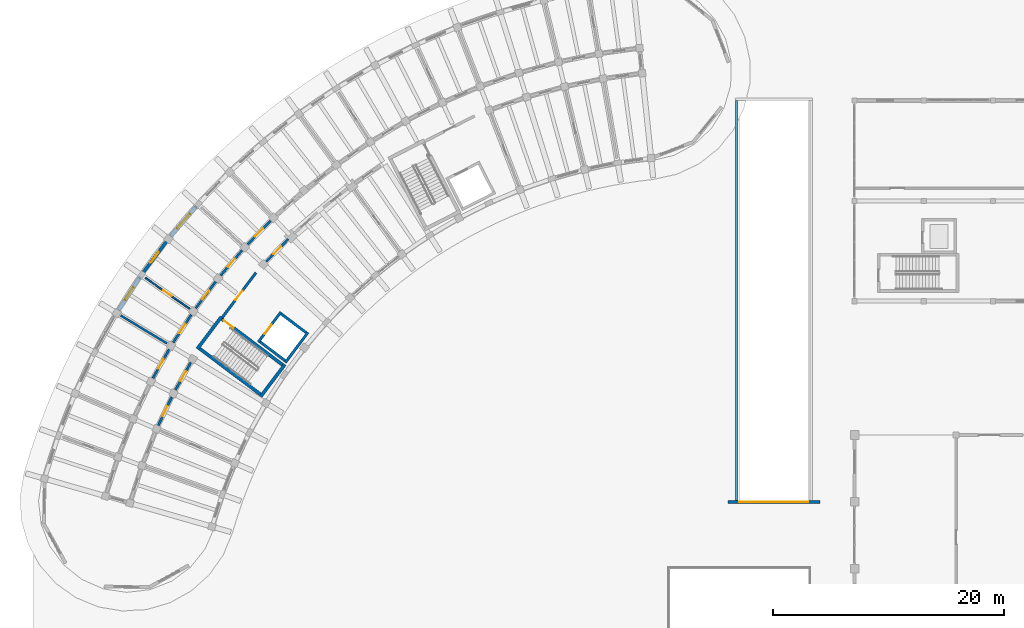
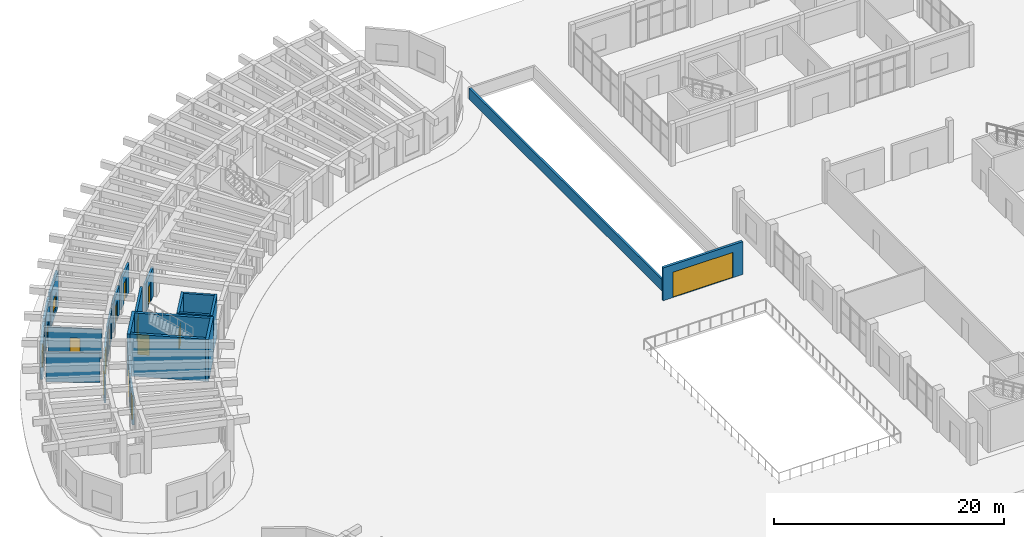
# One storey, part 94 of 132: 24 walls, 13 doors, 3 windows, 16 openings.
"""IFC4 building model written with IfcOpenShell, lengths in metres."""

from ifc_helpers import new_model, si_unit, direction, frame, frame_2d, origin, place, context, subcontext, project, spatial, rectangle, extrude, material, layer, layer_set, type_object, element, fill, save


model = new_model("IFC4")

# Units and contexts
model_context = context("Model", 3, precision=1e-05, world=origin(), true_north=direction((0.0, 1.0)))
body_context = subcontext(model_context, "Body", "Model", "MODEL_VIEW")
ifc_project = project(units=[si_unit("LENGTHUNIT", "METRE"), si_unit("AREAUNIT", "SQUARE_METRE"), si_unit("VOLUMEUNIT", "CUBIC_METRE"), si_unit("PLANEANGLEUNIT", "RADIAN"), si_unit("MASSUNIT", "GRAM", prefix="KILO")], contexts=[model_context])

# Site, building, storey
site_placement = place(None, origin())
site = spatial("IfcSite", under=ifc_project, at=site_placement, CompositionType="ELEMENT")
building_placement = place(site_placement, origin())
building = spatial("IfcBuilding", under=site, at=building_placement, Name="Tanwirah Colonnade Gardens", CompositionType="ELEMENT")
storey_placement = place(building_placement, origin())
storey = spatial("IfcBuildingStorey", under=building, at=storey_placement, Name="L00", CompositionType="ELEMENT", Elevation=0.0)

# Wall
ifc_material_1 = material(Name="Limestone architectural precast concrete C40/50", Category="masonry")
ifc_layer_1 = layer(ifc_material_1, 0.199951171875)
ifc_layer_set_1 = layer_set([ifc_layer_1], Name="Limestone architectural precast concrete C40/50")
wall_type_1 = type_object("IfcWallType", Name="EW-PAR200", PredefinedType="PARAPET", material=ifc_layer_set_1)
wall_1_placement = place(storey_placement, frame((67.75, 74.60009765625, 0.0), z_axis=(0.0, 0.0, 1.0), x_axis=(0.0, 1.0, 0.0)))
element("IfcWall", 1, at=wall_1_placement, inside=storey, type_object=wall_type_1, Name="Basement Ramp Kerb Guard Wall W", PredefinedType="PARAPET", context=body_context, shape_type="SweptSolid", body=[
    extrude(rectangle(XDim=34.7998046875, YDim=0.199951171875, at=frame_2d((17.39990234375, 0.0))), origin(), (0.0, 0.0, 1.0), 1.199951171875),
])

# Wall, opening, door
ifc_layer_2 = layer(ifc_material_1, 0.25)
ifc_layer_set_2 = layer_set([ifc_layer_2], Name="Limestone architectural precast concrete C40/50")
wall_type_2 = type_object("IfcWallType", Name="EW-PAV250", PredefinedType="SOLIDWALL", material=ifc_layer_set_2)
wall_2_placement = place(storey_placement, frame((67.0, 74.60009765625, 0.0), z_axis=(0.0, 0.0, 1.0), x_axis=(1.0, 0.0, 0.0)))
wall_2 = element("IfcWall", 2, at=wall_2_placement, inside=storey, type_object=wall_type_2, Name="Basement Car Park Ramp Entrance Portal Wall", PredefinedType="SOLIDWALL", context=body_context, shape_type="SweptSolid", body=[
    extrude(rectangle(XDim=8.0, YDim=0.25, at=frame_2d((4.0, 0.0))), origin(), (0.0, 0.0, 1.0), 3.5),
])
opening_1_placement = place(wall_2_placement, frame((1.0, 0.0, 0.0)))
opening_1 = element("IfcOpeningElement", 3, at=opening_1_placement, cuts=wall_2, Name="Opening RS-01", PredefinedType="OPENING", context=body_context, shape_type="SweptSolid", body=[
    extrude(rectangle(XDim=6.0, YDim=2.699951171875, at=frame_2d((3.0, 1.35009765625))), frame((0.0, 0.135009765625, 0.0), z_axis=(0.0, -1.0, 0.0), x_axis=(1.0, 0.0, 0.0)), (0.0, 0.0, 1.0), 0.27001953125),
])
ifc_material_2 = material(Name="Insulated galvanized steel vehicle roller shutter", Category="steel")
door_type_1 = type_object("IfcDoorType", Name="RS-01", OperationType="ROLLINGUP", PredefinedType="GATE", material=ifc_material_2)
door_1_placement = place(opening_1_placement, origin())
door_1 = element("IfcDoor", 4, at=door_1_placement, inside=storey, type_object=door_type_1, Name="Basement Car Park Vehicle Roller Shutter RS-01", OperationType="ROLLINGUP", OverallHeight=2.699951171875, OverallWidth=6.0, PredefinedType="GATE", context=body_context, shape_type="SweptSolid", body=[
    extrude(rectangle(XDim=6.0, YDim=2.699951171875, at=frame_2d((3.0, 1.35009765625))), frame((0.0, 0.02490234375, 0.0), z_axis=(0.0, -1.0, 0.0), x_axis=(1.0, 0.0, 0.0)), (0.0, 0.0, 1.0), 0.050048828125),
])
fill(opening_1, door_1)

# Wall, opening, window
ifc_layer_3 = layer(ifc_material_1, 0.27001953125)
ifc_layer_set_3 = layer_set([ifc_layer_3], Name="Limestone architectural precast concrete C40/50")
wall_type_3 = type_object("IfcWallType", Name="EW-PC270", PredefinedType="SOLIDWALL", material=ifc_layer_set_3)
wall_3_placement = place(storey_placement, frame((20.939208984375, 100.251953125, 0.0), z_axis=(0.0, 0.0, 1.0), x_axis=(-0.650211044889, -0.759753642376, 0.0)))
wall_3 = element("IfcWall", 5, at=wall_3_placement, inside=storey, type_object=wall_type_3, Name="Block A L00 OUT Precast Facade Wall 11", PredefinedType="SOLIDWALL", context=body_context, shape_type="SweptSolid", body=[
    extrude(rectangle(XDim=3.465576171875, YDim=0.27001953125, at=frame_2d((1.73291015625, 0.0))), origin(), (0.0, 0.0, 1.0), 3.7548828125),
])
opening_2_placement = place(wall_3_placement, frame((0.892822265625, 0.0, 0.550048828125)))
opening_2 = element("IfcOpeningElement", 6, at=opening_2_placement, cuts=wall_3, Name="Opening WIN-U14", PredefinedType="OPENING", context=body_context, shape_type="SweptSolid", body=[
    extrude(rectangle(XDim=1.679931640625, YDim=1.5849609375, at=frame_2d((0.83984375, 0.79248046875))), frame((0.0, 0.14501953125, 0.0), z_axis=(0.0, -1.0, 0.0), x_axis=(1.0, 0.0, 0.0)), (0.0, 0.0, 1.0), 0.2900390625),
])
ifc_material_3 = material(Name="Thermally broken bronze aluminium and solar low-E double glazing", Category="aluminium")
window_type_1 = type_object("IfcWindowType", Name="WIN-U14", PartitioningType="DOUBLE_PANEL_VERTICAL", PredefinedType="WINDOW", material=ifc_material_3)
window_1_placement = place(opening_2_placement, origin())
window_1 = element("IfcWindow", 7, at=window_1_placement, inside=storey, type_object=window_type_1, Name="Facade window A-L00-OUT-11", OverallHeight=1.5849609375, OverallWidth=1.679931640625, PartitioningType="SINGLE_PANEL", PredefinedType="WINDOW", context=body_context, shape_type="SweptSolid", body=[
    extrude(rectangle(XDim=1.679931640625, YDim=1.5849609375, at=frame_2d((0.83984375, 0.79248046875))), frame((0.0, 0.030029296875, 0.0), z_axis=(0.0, -1.0, 0.0), x_axis=(1.0, 0.0, 0.0)), (0.0, 0.0, 1.0), 0.06005859375),
])
fill(opening_2, window_1)

wall_4_placement = place(storey_placement, frame((18.336181640625, 97.181884765625, 0.0), z_axis=(0.0, 0.0, 1.0), x_axis=(-0.598714304455, -0.80096265933, 0.0)))
wall_4 = element("IfcWall", 8, at=wall_4_placement, inside=storey, type_object=wall_type_3, Name="Block A L00 OUT Precast Facade Wall 12", PredefinedType="SOLIDWALL", context=body_context, shape_type="SweptSolid", body=[
    extrude(rectangle(XDim=3.465576171875, YDim=0.27001953125, at=frame_2d((1.73291015625, 0.0))), origin(), (0.0, 0.0, 1.0), 3.7548828125),
])
opening_3_placement = place(wall_4_placement, frame((1.15771484375, 0.0, 0.550048828125)))
opening_3 = element("IfcOpeningElement", 9, at=opening_3_placement, cuts=wall_4, Name="Opening WIN-T01", PredefinedType="OPENING", context=body_context, shape_type="SweptSolid", body=[
    extrude(rectangle(XDim=1.14990234375, YDim=1.5, at=frame_2d((0.574951171875, 0.75))), frame((0.0, 0.14501953125, 0.0), z_axis=(0.0, -1.0, 0.0), x_axis=(1.0, 0.0, 0.0)), (0.0, 0.0, 1.0), 0.2900390625),
])
window_type_2 = type_object("IfcWindowType", Name="WIN-T01", PartitioningType="SINGLE_PANEL", PredefinedType="WINDOW", material=ifc_material_3)
window_2_placement = place(opening_3_placement, origin())
window_2 = element("IfcWindow", 10, at=window_2_placement, inside=storey, type_object=window_type_2, Name="Facade window A-L00-OUT-12", OverallHeight=1.5, OverallWidth=1.14990234375, PartitioningType="SINGLE_PANEL", PredefinedType="WINDOW", context=body_context, shape_type="SweptSolid", body=[
    extrude(rectangle(XDim=1.14990234375, YDim=1.5, at=frame_2d((0.574951171875, 0.75))), frame((0.0, 0.030029296875, 0.0), z_axis=(0.0, -1.0, 0.0), x_axis=(1.0, 0.0, 0.0)), (0.0, 0.0, 1.0), 0.06005859375),
])
fill(opening_3, window_2)

wall_5_placement = place(storey_placement, frame((16.055419921875, 94.11083984375, 0.0), z_axis=(0.0, 0.0, 1.0), x_axis=(-0.544678802261, -0.838644741453, 0.0)))
wall_5 = element("IfcWall", 11, at=wall_5_placement, inside=storey, type_object=wall_type_3, Name="Block A L00 OUT Precast Facade Wall 13", PredefinedType="SOLIDWALL", context=body_context, shape_type="SweptSolid", body=[
    extrude(rectangle(XDim=3.4658203125, YDim=0.27001953125, at=frame_2d((1.73291015625, 0.0))), origin(), (0.0, 0.0, 1.0), 3.7548828125),
])
opening_4_placement = place(wall_5_placement, frame((1.082763671875, 0.0, 0.550048828125)))
opening_4 = element("IfcOpeningElement", 12, at=opening_4_placement, cuts=wall_5, Name="Opening WIN-T04", PredefinedType="OPENING", context=body_context, shape_type="SweptSolid", body=[
    extrude(rectangle(XDim=1.300048828125, YDim=1.60009765625, at=frame_2d((0.64990234375, 0.800048828125))), frame((0.0, 0.14501953125, 0.0), z_axis=(0.0, -1.0, 0.0), x_axis=(1.0, 0.0, 0.0)), (0.0, 0.0, 1.0), 0.2900390625),
])
window_type_3 = type_object("IfcWindowType", Name="WIN-T04", PartitioningType="DOUBLE_PANEL_VERTICAL", PredefinedType="WINDOW", material=ifc_material_3)
window_3_placement = place(opening_4_placement, origin())
window_3 = element("IfcWindow", 13, at=window_3_placement, inside=storey, type_object=window_type_3, Name="Facade window A-L00-OUT-13", OverallHeight=1.60009765625, OverallWidth=1.300048828125, PartitioningType="SINGLE_PANEL", PredefinedType="WINDOW", context=body_context, shape_type="SweptSolid", body=[
    extrude(rectangle(XDim=1.300048828125, YDim=1.60009765625, at=frame_2d((0.64990234375, 0.800048828125))), frame((0.0, 0.030029296875, 0.0), z_axis=(0.0, -1.0, 0.0), x_axis=(1.0, 0.0, 0.0)), (0.0, 0.0, 1.0), 0.06005859375),
])
fill(opening_4, window_3)

# Wall, opening, door
ifc_material_4 = material(Name="Precast concrete C40/50", Category="concrete")
ifc_layer_4 = layer(ifc_material_4, 0.205078125)
ifc_layer_set_4 = layer_set([ifc_layer_4], Name="Precast concrete C40/50")
wall_type_4 = type_object("IfcWallType", Name="IW-CORR205", PredefinedType="PARTITIONING", material=ifc_layer_set_4)
wall_6_placement = place(storey_placement, frame((27.360107421875, 98.975341796875, 0.0), z_axis=(0.0, 0.0, 1.0), x_axis=(-0.698787219683, -0.715329589496, 0.0)))
wall_6 = element("IfcWall", 14, at=wall_6_placement, inside=storey, type_object=wall_type_4, Name="Block A L00 OUT Corridor Wall 10", PredefinedType="PARTITIONING", context=body_context, shape_type="SweptSolid", body=[
    extrude(rectangle(XDim=2.863037109375, YDim=0.205078125, at=frame_2d((1.431640625, 0.0))), origin(), (0.0, 0.0, 1.0), 3.10009765625),
])
opening_5_placement = place(wall_6_placement, frame((0.95654296875, 0.0, 0.0)))
opening_5 = element("IfcOpeningElement", 15, at=opening_5_placement, cuts=wall_6, Name="Opening L00-AD244", PredefinedType="OPENING", context=body_context, shape_type="SweptSolid", body=[
    extrude(rectangle(XDim=0.949951171875, YDim=2.1298828125, at=frame_2d((0.47509765625, 1.06494140625))), frame((0.0, 0.112548828125, 0.0), z_axis=(0.0, -1.0, 0.0), x_axis=(1.0, 0.0, 0.0)), (0.0, 0.0, 1.0), 0.22509765625),
])
ifc_material_5 = material(Name="Solid oak fire-resisting apartment entrance door")
door_type_2 = type_object("IfcDoorType", Name="ID-FLT095", OperationType="NOTDEFINED", PredefinedType="DOOR", material=ifc_material_5)
door_2_placement = place(opening_5_placement, origin())
door_2 = element("IfcDoor", 16, at=door_2_placement, inside=storey, type_object=door_type_2, Name="Apartment corridor door L00-AD244", OperationType="SINGLE_SWING_LEFT", OverallHeight=2.1298828125, OverallWidth=0.949951171875, PredefinedType="DOOR", context=body_context, shape_type="SweptSolid", body=[
    extrude(rectangle(XDim=0.949951171875, YDim=2.1298828125, at=frame_2d((0.47509765625, 1.06494140625))), frame((0.0, 0.02490234375, 0.0), z_axis=(0.0, -1.0, 0.0), x_axis=(1.0, 0.0, 0.0)), (0.0, 0.0, 1.0), 0.050048828125),
])
fill(opening_5, door_2)

wall_7_placement = place(storey_placement, frame((28.88232421875, 97.38671875, 0.0), z_axis=(0.0, 0.0, 1.0), x_axis=(-0.698840007829, -0.715278018296, 0.0)))
wall_7 = element("IfcWall", 17, at=wall_7_placement, inside=storey, type_object=wall_type_4, Name="Block A L00 IN Corridor Wall 10", PredefinedType="PARTITIONING", context=body_context, shape_type="SweptSolid", body=[
    extrude(rectangle(XDim=2.718017578125, YDim=0.205078125, at=frame_2d((1.35888671875, 0.0))), origin(), (0.0, 0.0, 1.0), 3.10009765625),
])
opening_6_placement = place(wall_7_placement, frame((0.884033203125, 0.0, 0.0)))
opening_6 = element("IfcOpeningElement", 18, at=opening_6_placement, cuts=wall_7, Name="Opening L00-AD245", PredefinedType="OPENING", context=body_context, shape_type="SweptSolid", body=[
    extrude(rectangle(XDim=0.949951171875, YDim=2.1298828125, at=frame_2d((0.47509765625, 1.06494140625))), frame((0.0, 0.112548828125, 0.0), z_axis=(0.0, -1.0, 0.0), x_axis=(1.0, 0.0, 0.0)), (0.0, 0.0, 1.0), 0.22509765625),
])
door_3_placement = place(opening_6_placement, origin())
door_3 = element("IfcDoor", 19, at=door_3_placement, inside=storey, type_object=door_type_2, Name="Apartment corridor door L00-AD245", OperationType="SINGLE_SWING_RIGHT", OverallHeight=2.1298828125, OverallWidth=0.949951171875, PredefinedType="DOOR", context=body_context, shape_type="SweptSolid", body=[
    extrude(rectangle(XDim=0.949951171875, YDim=2.1298828125, at=frame_2d((0.47509765625, 1.06494140625))), frame((0.0, 0.02490234375, 0.0), z_axis=(0.0, -1.0, 0.0), x_axis=(1.0, 0.0, 0.0)), (0.0, 0.0, 1.0), 0.050048828125),
])
fill(opening_6, door_3)

wall_8_placement = place(storey_placement, frame((24.88720703125, 96.4111328125, 0.0), z_axis=(0.0, 0.0, 1.0), x_axis=(-0.650194272684, -0.759767996015, 0.0)))
wall_8 = element("IfcWall", 20, at=wall_8_placement, inside=storey, type_object=wall_type_4, Name="Block A L00 OUT Corridor Wall 11", PredefinedType="PARTITIONING", context=body_context, shape_type="SweptSolid", body=[
    extrude(rectangle(XDim=2.863037109375, YDim=0.205078125, at=frame_2d((1.431640625, 0.0))), origin(), (0.0, 0.0, 1.0), 3.10009765625),
])
opening_7_placement = place(wall_8_placement, frame((0.966552734375, 0.0, 0.0)))
opening_7 = element("IfcOpeningElement", 21, at=opening_7_placement, cuts=wall_8, Name="Opening L00-AD247", PredefinedType="OPENING", context=body_context, shape_type="SweptSolid", body=[
    extrude(rectangle(XDim=0.929931640625, YDim=2.1201171875, at=frame_2d((0.46484375, 1.06005859375))), frame((0.0, 0.112548828125, 0.0), z_axis=(0.0, -1.0, 0.0), x_axis=(1.0, 0.0, 0.0)), (0.0, 0.0, 1.0), 0.22509765625),
])
door_type_3 = type_object("IfcDoorType", Name="ID-FLT093", OperationType="NOTDEFINED", PredefinedType="DOOR", material=ifc_material_5)
door_4_placement = place(opening_7_placement, origin())
door_4 = element("IfcDoor", 22, at=door_4_placement, inside=storey, type_object=door_type_3, Name="Apartment corridor door L00-AD247", OperationType="SINGLE_SWING_RIGHT", OverallHeight=2.1201171875, OverallWidth=0.929931640625, PredefinedType="DOOR", context=body_context, shape_type="SweptSolid", body=[
    extrude(rectangle(XDim=0.929931640625, YDim=2.1201171875, at=frame_2d((0.46484375, 1.06005859375))), frame((0.0, 0.02490234375, 0.0), z_axis=(0.0, -1.0, 0.0), x_axis=(1.0, 0.0, 0.0)), (0.0, 0.0, 1.0), 0.050048828125),
])
fill(opening_7, door_4)

wall_9_placement = place(storey_placement, frame((22.588623046875, 93.689453125, 0.0), z_axis=(0.0, 0.0, 1.0), x_axis=(-0.598757763243, -0.800930172335, 0.0)))
wall_9 = element("IfcWall", 23, at=wall_9_placement, inside=storey, type_object=wall_type_4, Name="Block A L00 OUT Corridor Wall 12", PredefinedType="PARTITIONING", context=body_context, shape_type="SweptSolid", body=[
    extrude(rectangle(XDim=2.86328125, YDim=0.205078125, at=frame_2d((1.431640625, 0.0))), origin(), (0.0, 0.0, 1.0), 3.10009765625),
])
opening_8_placement = place(wall_9_placement, frame((0.9365234375, 0.0, 0.0)))
opening_8 = element("IfcOpeningElement", 24, at=opening_8_placement, cuts=wall_9, Name="Opening L00-AD248", PredefinedType="OPENING", context=body_context, shape_type="SweptSolid", body=[
    extrude(rectangle(XDim=0.989990234375, YDim=2.159912109375, at=frame_2d((0.4951171875, 1.080078125))), frame((0.0, 0.112548828125, 0.0), z_axis=(0.0, -1.0, 0.0), x_axis=(1.0, 0.0, 0.0)), (0.0, 0.0, 1.0), 0.22509765625),
])
door_type_4 = type_object("IfcDoorType", Name="ID-FLT099", OperationType="NOTDEFINED", PredefinedType="DOOR", material=ifc_material_5)
door_5_placement = place(opening_8_placement, origin())
door_5 = element("IfcDoor", 25, at=door_5_placement, inside=storey, type_object=door_type_4, Name="Apartment corridor door L00-AD248", OperationType="SINGLE_SWING_LEFT", OverallHeight=2.159912109375, OverallWidth=0.989990234375, PredefinedType="DOOR", context=body_context, shape_type="SweptSolid", body=[
    extrude(rectangle(XDim=0.989990234375, YDim=2.159912109375, at=frame_2d((0.4951171875, 1.080078125))), frame((0.0, 0.02490234375, 0.0), z_axis=(0.0, -1.0, 0.0), x_axis=(1.0, 0.0, 0.0)), (0.0, 0.0, 1.0), 0.050048828125),
])
fill(opening_8, door_5)

wall_10_placement = place(storey_placement, frame((20.47412109375, 90.822265625, 0.0), z_axis=(0.0, 0.0, 1.0), x_axis=(-0.544643612649, -0.838667595178, 0.0)))
wall_10 = element("IfcWall", 26, at=wall_10_placement, inside=storey, type_object=wall_type_4, Name="Block A L00 OUT Corridor Wall 13", PredefinedType="PARTITIONING", context=body_context, shape_type="SweptSolid", body=[
    extrude(rectangle(XDim=2.863037109375, YDim=0.205078125, at=frame_2d((1.431640625, 0.0))), origin(), (0.0, 0.0, 1.0), 3.10009765625),
])
opening_9_placement = place(wall_10_placement, frame((0.946533203125, 0.0, 0.0)))
opening_9 = element("IfcOpeningElement", 27, at=opening_9_placement, cuts=wall_10, Name="Opening L00-AD250", PredefinedType="OPENING", context=body_context, shape_type="SweptSolid", body=[
    extrude(rectangle(XDim=0.969970703125, YDim=2.14990234375, at=frame_2d((0.48486328125, 1.074951171875))), frame((0.0, 0.112548828125, 0.0), z_axis=(0.0, -1.0, 0.0), x_axis=(1.0, 0.0, 0.0)), (0.0, 0.0, 1.0), 0.22509765625),
])
door_type_5 = type_object("IfcDoorType", Name="ID-FLT097", OperationType="NOTDEFINED", PredefinedType="DOOR", material=ifc_material_5)
door_6_placement = place(opening_9_placement, origin())
door_6 = element("IfcDoor", 28, at=door_6_placement, inside=storey, type_object=door_type_5, Name="Apartment corridor door L00-AD250", OperationType="SINGLE_SWING_RIGHT", OverallHeight=2.14990234375, OverallWidth=0.969970703125, PredefinedType="DOOR", context=body_context, shape_type="SweptSolid", body=[
    extrude(rectangle(XDim=0.969970703125, YDim=2.14990234375, at=frame_2d((0.48486328125, 1.074951171875))), frame((0.0, 0.02490234375, 0.0), z_axis=(0.0, -1.0, 0.0), x_axis=(1.0, 0.0, 0.0)), (0.0, 0.0, 1.0), 0.050048828125),
])
fill(opening_9, door_6)

wall_11_placement = place(storey_placement, frame((18.55322265625, 87.822021484375, 0.0), z_axis=(0.0, 0.0, 1.0), x_axis=(-0.488211211273, -0.872725508501, 0.0)))
wall_11 = element("IfcWall", 29, at=wall_11_placement, inside=storey, type_object=wall_type_4, Name="Block A L00 OUT Corridor Wall 14", PredefinedType="PARTITIONING", context=body_context, shape_type="SweptSolid", body=[
    extrude(rectangle(XDim=2.86279296875, YDim=0.205078125, at=frame_2d((1.431396484375, 0.0))), origin(), (0.0, 0.0, 1.0), 3.10009765625),
])
opening_10_placement = place(wall_11_placement, frame((0.95654296875, 0.0, 0.0)))
opening_10 = element("IfcOpeningElement", 30, at=opening_10_placement, cuts=wall_11, Name="Opening L00-AD251", PredefinedType="OPENING", context=body_context, shape_type="SweptSolid", body=[
    extrude(rectangle(XDim=0.949951171875, YDim=2.1298828125, at=frame_2d((0.47509765625, 1.06494140625))), frame((0.0, 0.112548828125, 0.0), z_axis=(0.0, -1.0, 0.0), x_axis=(1.0, 0.0, 0.0)), (0.0, 0.0, 1.0), 0.22509765625),
])
door_7_placement = place(opening_10_placement, origin())
door_7 = element("IfcDoor", 31, at=door_7_placement, inside=storey, type_object=door_type_2, Name="Apartment corridor door L00-AD251", OperationType="SINGLE_SWING_LEFT", OverallHeight=2.1298828125, OverallWidth=0.949951171875, PredefinedType="DOOR", context=body_context, shape_type="SweptSolid", body=[
    extrude(rectangle(XDim=0.949951171875, YDim=2.1298828125, at=frame_2d((0.47509765625, 1.06494140625))), frame((0.0, 0.02490234375, 0.0), z_axis=(0.0, -1.0, 0.0), x_axis=(1.0, 0.0, 0.0)), (0.0, 0.0, 1.0), 0.050048828125),
])
fill(opening_10, door_7)

wall_12_placement = place(storey_placement, frame((20.436767578125, 86.685302734375, 0.0), z_axis=(0.0, 0.0, 1.0), x_axis=(-0.48819576874, -0.872734147025, 0.0)))
wall_12 = element("IfcWall", 32, at=wall_12_placement, inside=storey, type_object=wall_type_4, Name="Block A L00 IN Corridor Wall 14", PredefinedType="PARTITIONING", context=body_context, shape_type="SweptSolid", body=[
    extrude(rectangle(XDim=2.718017578125, YDim=0.205078125, at=frame_2d((1.35888671875, 0.0))), origin(), (0.0, 0.0, 1.0), 3.10009765625),
])
opening_11_placement = place(wall_12_placement, frame((0.884033203125, 0.0, 0.0)))
opening_11 = element("IfcOpeningElement", 33, at=opening_11_placement, cuts=wall_12, Name="Opening L00-AD252", PredefinedType="OPENING", context=body_context, shape_type="SweptSolid", body=[
    extrude(rectangle(XDim=0.949951171875, YDim=2.1298828125, at=frame_2d((0.47509765625, 1.06494140625))), frame((0.0, 0.112548828125, 0.0), z_axis=(0.0, -1.0, 0.0), x_axis=(1.0, 0.0, 0.0)), (0.0, 0.0, 1.0), 0.22509765625),
])
door_8_placement = place(opening_11_placement, origin())
door_8 = element("IfcDoor", 34, at=door_8_placement, inside=storey, type_object=door_type_2, Name="Apartment corridor door L00-AD252", OperationType="SINGLE_SWING_RIGHT", OverallHeight=2.1298828125, OverallWidth=0.949951171875, PredefinedType="DOOR", context=body_context, shape_type="SweptSolid", body=[
    extrude(rectangle(XDim=0.949951171875, YDim=2.1298828125, at=frame_2d((0.47509765625, 1.06494140625))), frame((0.0, 0.02490234375, 0.0), z_axis=(0.0, -1.0, 0.0), x_axis=(1.0, 0.0, 0.0)), (0.0, 0.0, 1.0), 0.050048828125),
])
fill(opening_11, door_8)

wall_13_placement = place(storey_placement, frame((18.78857421875, 83.691650390625, 0.0), z_axis=(0.0, 0.0, 1.0), x_axis=(-0.429630211913, -0.90300491749, 0.0)))
wall_13 = element("IfcWall", 35, at=wall_13_placement, inside=storey, type_object=wall_type_4, Name="Block A L00 IN Corridor Wall 15", PredefinedType="PARTITIONING", context=body_context, shape_type="SweptSolid", body=[
    extrude(rectangle(XDim=2.718017578125, YDim=0.205078125, at=frame_2d((1.35888671875, 0.0))), origin(), (0.0, 0.0, 1.0), 3.10009765625),
])
opening_12_placement = place(wall_13_placement, frame((0.89404296875, 0.0, 0.0)))
opening_12 = element("IfcOpeningElement", 36, at=opening_12_placement, cuts=wall_13, Name="Opening L00-AD254", PredefinedType="OPENING", context=body_context, shape_type="SweptSolid", body=[
    extrude(rectangle(XDim=0.929931640625, YDim=2.1201171875, at=frame_2d((0.46484375, 1.06005859375))), frame((0.0, 0.112548828125, 0.0), z_axis=(0.0, -1.0, 0.0), x_axis=(1.0, 0.0, 0.0)), (0.0, 0.0, 1.0), 0.22509765625),
])
door_9_placement = place(opening_12_placement, origin())
door_9 = element("IfcDoor", 37, at=door_9_placement, inside=storey, type_object=door_type_3, Name="Apartment corridor door L00-AD254", OperationType="SINGLE_SWING_LEFT", OverallHeight=2.1201171875, OverallWidth=0.929931640625, PredefinedType="DOOR", context=body_context, shape_type="SweptSolid", body=[
    extrude(rectangle(XDim=0.929931640625, YDim=2.1201171875, at=frame_2d((0.46484375, 1.06005859375))), frame((0.0, 0.02490234375, 0.0), z_axis=(0.0, -1.0, 0.0), x_axis=(1.0, 0.0, 0.0)), (0.0, 0.0, 1.0), 0.050048828125),
])
fill(opening_12, door_9)

# Wall
ifc_layer_5 = layer(ifc_material_4, 0.18505859375)
ifc_layer_set_5 = layer_set([ifc_layer_5], Name="Precast concrete C40/50")
wall_type_5 = type_object("IfcWallType", Name="IW-DEM185", PredefinedType="PARTITIONING", material=ifc_layer_set_5)
wall_14_placement = place(storey_placement, frame((18.381591796875, 88.334228515625, 0.0), z_axis=(0.0, 0.0, 1.0), x_axis=(-0.856165473929, 0.516701733356, 0.0)))
element("IfcWall", 38, at=wall_14_placement, inside=storey, type_object=wall_type_5, Name="Block A L00 Radial Partition 13", PredefinedType="PARTITIONING", context=body_context, shape_type="SweptSolid", body=[
    extrude(rectangle(XDim=4.699951171875, YDim=0.18505859375, at=frame_2d((2.35009765625, 0.0))), origin(), (0.0, 0.0, 1.0), 3.10009765625),
])

# Wall, opening, door
ifc_material_6 = material(Name="Autoclaved aerated masonry blockwork", Category="masonry")
ifc_layer_6 = layer(ifc_material_6, 0.219970703125)
ifc_layer_set_6 = layer_set([ifc_layer_6], Name="Autoclaved aerated masonry blockwork")
wall_type_6 = type_object("IfcWallType", Name="IW-FFL220", PredefinedType="PARTITIONING", material=ifc_layer_set_6)
wall_15_placement = place(storey_placement, frame((23.138916015625, 90.55517578125, 0.0), z_axis=(0.0, 0.0, 1.0), x_axis=(0.601792209296, 0.79865270101, 0.0)))
wall_15 = element("IfcWall", 39, at=wall_15_placement, inside=storey, type_object=wall_type_6, Name="CORE-A2 L00 Enclosed Lobby Fire Wall", PredefinedType="PARTITIONING", context=body_context, shape_type="SweptSolid", body=[
    extrude(rectangle(XDim=4.89990234375, YDim=0.219970703125, at=frame_2d((2.449951171875, 0.0))), origin(), (0.0, 0.0, 1.0), 3.739990234375),
])
opening_13_placement = place(wall_15_placement, frame((1.949951171875, 0.0, 0.0)))
opening_13 = element("IfcOpeningElement", 40, at=opening_13_placement, cuts=wall_15, Name="Opening L00-LD050", PredefinedType="OPENING", context=body_context, shape_type="SweptSolid", body=[
    extrude(rectangle(XDim=0.97998046875, YDim=2.139892578125, at=frame_2d((0.489990234375, 1.06982421875))), frame((0.0, 0.119873046875, 0.0), z_axis=(0.0, -1.0, 0.0), x_axis=(1.0, 0.0, 0.0)), (0.0, 0.0, 1.0), 0.239990234375),
])
ifc_material_7 = material(Name="Acoustic fire-resisting lobby door")
door_type_6 = type_object("IfcDoorType", Name="ID-FFL098", OperationType="NOTDEFINED", PredefinedType="DOOR", material=ifc_material_7)
door_10_placement = place(opening_13_placement, origin())
door_10 = element("IfcDoor", 41, at=door_10_placement, inside=storey, type_object=door_type_6, Name="CORE-A2 L00 Lobby Fire Door L00-LD050", OperationType="SINGLE_SWING_LEFT", OverallHeight=2.139892578125, OverallWidth=0.97998046875, PredefinedType="DOOR", context=body_context, shape_type="SweptSolid", body=[
    extrude(rectangle(XDim=0.97998046875, YDim=2.139892578125, at=frame_2d((0.489990234375, 1.06982421875))), frame((0.0, 0.02490234375, 0.0), z_axis=(0.0, -1.0, 0.0), x_axis=(1.0, 0.0, 0.0)), (0.0, 0.0, 1.0), 0.050048828125),
])
fill(opening_13, door_10)

ifc_material_8 = material(Name="Water-resistant acoustic plumbing partition")
ifc_layer_7 = layer(ifc_material_8, 0.139892578125)
ifc_layer_set_7 = layer_set([ifc_layer_7], Name="Water-resistant acoustic plumbing partition")
wall_type_7 = type_object("IfcWallType", Name="IW-WET140", PredefinedType="PLUMBINGWALL", material=ifc_layer_set_7)
wall_16_placement = place(storey_placement, frame((20.336669921875, 91.3447265625, 0.0), z_axis=(0.0, 0.0, 1.0), x_axis=(-0.820272617205, 0.571972755876, 0.0)))
wall_16 = element("IfcWall", 42, at=wall_16_placement, inside=storey, type_object=wall_type_7, Name="Block A L00 Radial Partition 12", PredefinedType="PLUMBINGWALL", context=body_context, shape_type="SweptSolid", body=[
    extrude(rectangle(XDim=4.699951171875, YDim=0.139892578125, at=frame_2d((2.35009765625, 0.0))), origin(), (0.0, 0.0, 1.0), 3.10009765625),
])
opening_14_placement = place(wall_16_placement, frame((1.919921875, 0.0, 0.0)))
opening_14 = element("IfcOpeningElement", 43, at=opening_14_placement, cuts=wall_16, Name="Opening L00-RD249", PredefinedType="OPENING", context=body_context, shape_type="SweptSolid", body=[
    extrude(rectangle(XDim=0.860107421875, YDim=2.06005859375, at=frame_2d((0.43017578125, 1.030029296875))), frame((0.0, 0.079833984375, 0.0), z_axis=(0.0, -1.0, 0.0), x_axis=(1.0, 0.0, 0.0)), (0.0, 0.0, 1.0), 0.159912109375),
])
ifc_material_9 = material(Name="Moisture-resistant bathroom door")
door_type_7 = type_object("IfcDoorType", Name="ID-WET086", OperationType="NOTDEFINED", PredefinedType="DOOR", material=ifc_material_9)
door_11_placement = place(opening_14_placement, origin())
door_11 = element("IfcDoor", 44, at=door_11_placement, inside=storey, type_object=door_type_7, Name="Internal apartment door L00-RD249", OperationType="SINGLE_SWING_LEFT", OverallHeight=2.06005859375, OverallWidth=0.860107421875, PredefinedType="DOOR", context=body_context, shape_type="SweptSolid", body=[
    extrude(rectangle(XDim=0.860107421875, YDim=2.06005859375, at=frame_2d((0.43017578125, 1.030029296875))), frame((0.0, 0.02490234375, 0.0), z_axis=(0.0, -1.0, 0.0), x_axis=(1.0, 0.0, 0.0)), (0.0, 0.0, 1.0), 0.050048828125),
])
fill(opening_14, door_11)

# Walls
ifc_material_10 = material(Name="Concrete C45/55", Category="concrete")
ifc_layer_8 = layer(ifc_material_10, 0.280029296875)
ifc_layer_set_8 = layer_set([ifc_layer_8], Name="Concrete C45/55")
wall_type_8 = type_object("IfcWallType", Name="SW-CORE280", PredefinedType="SHEAR", material=ifc_layer_set_8)
wall_17_placement = place(storey_placement, frame((21.19873046875, 87.8974609375, 0.0), z_axis=(0.0, 0.0, 1.0), x_axis=(0.798639633744, -0.601809550782, 0.0)))
element("IfcWall", 45, at=wall_17_placement, inside=storey, type_object=wall_type_8, Name="CORE-A2 L00 Stair Shaft Shear Wall LEFT", PredefinedType="SHEAR", context=body_context, shape_type="SweptSolid", body=[
    extrude(rectangle(XDim=6.599853515625, YDim=0.280029296875, at=frame_2d((3.2998046875, 0.0))), origin(), (0.0, 0.0, 1.0), 4.47998046875),
])
for number, where, z_axis, x_axis, name in (
    (46, (26.497314453125, 83.7294921875, 0.0), (0.0, 0.0, 1.0), (0.601794470585, 0.798650997102, 0.0), "CORE-A2 L00 Stair Shaft Shear Wall FAR"),
    (47, (21.002685546875, 87.869873046875, 0.0), (0.0, 0.0, 1.0), (0.601794470585, 0.798650997102, 0.0), "CORE-A2 L00 Stair Shaft Shear Wall NEAR"),
):
    element("IfcWall", number, at=place(storey_placement, frame(where, z_axis=z_axis, x_axis=x_axis)), inside=storey, type_object=wall_type_8, Name=name, PredefinedType="SHEAR", context=body_context, shape_type="SweptSolid", body=[
        extrude(rectangle(XDim=3.47998046875, YDim=0.280029296875, at=frame_2d((1.739990234375, 0.0))), origin(), (0.0, 0.0, 1.0), 4.47998046875),
    ])

# Wall, opening, door
wall_18_placement = place(storey_placement, frame((23.12451171875, 90.453125, 0.0), z_axis=(0.0, 0.0, 1.0), x_axis=(0.798639633744, -0.601809550782, 0.0)))
wall_18 = element("IfcWall", 48, at=wall_18_placement, inside=storey, type_object=wall_type_8, Name="CORE-A2 L00 Stair Shaft Shear Wall RIGHT", PredefinedType="SHEAR", context=body_context, shape_type="SweptSolid", body=[
    extrude(rectangle(XDim=6.599853515625, YDim=0.280029296875, at=frame_2d((3.2998046875, 0.0))), origin(), (0.0, 0.0, 1.0), 4.47998046875),
])
opening_15_placement = place(wall_18_placement, frame((0.219970703125, 0.0, 0.0)))
opening_15 = element("IfcOpeningElement", 49, at=opening_15_placement, cuts=wall_18, Name="Opening L00-SD034", PredefinedType="OPENING", context=body_context, shape_type="SweptSolid", body=[
    extrude(rectangle(XDim=1.050048828125, YDim=2.14990234375, at=frame_2d((0.52490234375, 1.074951171875))), frame((0.0, 0.14990234375, 0.0), z_axis=(0.0, -1.0, 0.0), x_axis=(1.0, 0.0, 0.0)), (0.0, 0.0, 1.0), 0.300048828125),
])
ifc_material_11 = material(Name="Steel fire-resisting stair enclosure door", Category="steel")
door_type_8 = type_object("IfcDoorType", Name="ID-ST105", OperationType="NOTDEFINED", PredefinedType="DOOR", material=ifc_material_11)
door_12_placement = place(opening_15_placement, origin())
door_12 = element("IfcDoor", 50, at=door_12_placement, inside=storey, type_object=door_type_8, Name="CORE-A2 L00 Stair Fire Door L00-SD034", OperationType="SINGLE_SWING_LEFT", OverallHeight=2.14990234375, OverallWidth=1.050048828125, PredefinedType="DOOR", context=body_context, shape_type="SweptSolid", body=[
    extrude(rectangle(XDim=1.050048828125, YDim=2.14990234375, at=frame_2d((0.52490234375, 1.074951171875))), frame((0.0, 0.02490234375, 0.0), z_axis=(0.0, -1.0, 0.0), x_axis=(1.0, 0.0, 0.0)), (0.0, 0.0, 1.0), 0.050048828125),
])
fill(opening_15, door_12)

ifc_layer_9 = layer(ifc_material_10, 0.22998046875)
ifc_layer_set_9 = layer_set([ifc_layer_9], Name="Concrete C45/55")
wall_type_9 = type_object("IfcWallType", Name="SW-LIFT230", PredefinedType="SHEAR", material=ifc_layer_set_9)
wall_19_placement = place(storey_placement, frame((26.2939453125, 88.452880859375, 0.0), z_axis=(0.0, 0.0, 1.0), x_axis=(0.601819781152, 0.798631924615, 0.0)))
wall_19 = element("IfcWall", 51, at=wall_19_placement, inside=storey, type_object=wall_type_9, Name="CORE-A2 L00 Lift Shaft Wall FRONT", PredefinedType="SHEAR", context=body_context, shape_type="SweptSolid", body=[
    extrude(rectangle(XDim=3.260009765625, YDim=0.22998046875, at=frame_2d((1.6298828125, 0.0))), origin(), (0.0, 0.0, 1.0), 4.47998046875),
])
opening_16_placement = place(wall_19_placement, frame((0.89990234375, 0.0, 0.0)))
opening_16 = element("IfcOpeningElement", 52, at=opening_16_placement, cuts=wall_19, Name="Opening L00-LD-PL-A2", PredefinedType="OPENING", context=body_context, shape_type="SweptSolid", body=[
    extrude(rectangle(XDim=1.0, YDim=2.14990234375, at=frame_2d((0.5, 1.074951171875))), frame((0.0, 0.125, 0.0), z_axis=(0.0, -1.0, 0.0), x_axis=(1.0, 0.0, 0.0)), (0.0, 0.0, 1.0), 0.25),
])
ifc_material_12 = material(Name="Bronze stainless steel sliding lift landing door", Category="steel")
door_type_9 = type_object("IfcDoorType", Name="LD-PS10", OperationType="DOUBLE_DOOR_SLIDING", PredefinedType="DOOR", material=ifc_material_12)
door_13_placement = place(opening_16_placement, origin())
door_13 = element("IfcDoor", 53, at=door_13_placement, inside=storey, type_object=door_type_9, Name="Lift PL-A2 L00 Sliding Landing Door", OperationType="DOUBLE_DOOR_SLIDING", OverallHeight=2.14990234375, OverallWidth=1.0, PredefinedType="DOOR", context=body_context, shape_type="SweptSolid", body=[
    extrude(rectangle(XDim=1.0, YDim=2.14990234375, at=frame_2d((0.5, 1.074951171875))), frame((0.0, 0.02490234375, 0.0), z_axis=(0.0, -1.0, 0.0), x_axis=(1.0, 0.0, 0.0)), (0.0, 0.0, 1.0), 0.050048828125),
])
fill(opening_16, door_13)

# Walls
wall_20_placement = place(storey_placement, frame((28.634033203125, 86.689697265625, 0.0), z_axis=(0.0, 0.0, 1.0), x_axis=(0.601819781152, 0.798631924615, 0.0)))
element("IfcWall", 54, at=wall_20_placement, inside=storey, type_object=wall_type_9, Name="CORE-A2 L00 Lift Shaft Wall BACK", PredefinedType="SHEAR", context=body_context, shape_type="SweptSolid", body=[
    extrude(rectangle(XDim=3.260009765625, YDim=0.22998046875, at=frame_2d((1.6298828125, 0.0))), origin(), (0.0, 0.0, 1.0), 4.47998046875),
])
for number, where, z_axis, x_axis, name in (
    (55, (26.455078125, 88.4755859375, 0.0), (0.0, 0.0, 1.0), (0.798608971494, -0.601850239387, 0.0), "CORE-A2 L00 Lift Shaft Wall SIDEA"),
    (56, (28.278564453125, 90.8955078125, 0.0), (0.0, 0.0, 1.0), (0.798608971494, -0.601850239387, 0.0), "CORE-A2 L00 Lift Shaft Wall SIDEB"),
):
    element("IfcWall", number, at=place(storey_placement, frame(where, z_axis=z_axis, x_axis=x_axis)), inside=storey, type_object=wall_type_9, Name=name, PredefinedType="SHEAR", context=body_context, shape_type="SweptSolid", body=[
        extrude(rectangle(XDim=2.699951171875, YDim=0.22998046875, at=frame_2d((1.35009765625, 0.0))), origin(), (0.0, 0.0, 1.0), 4.47998046875),
    ])

save(model, "model.ifc")
